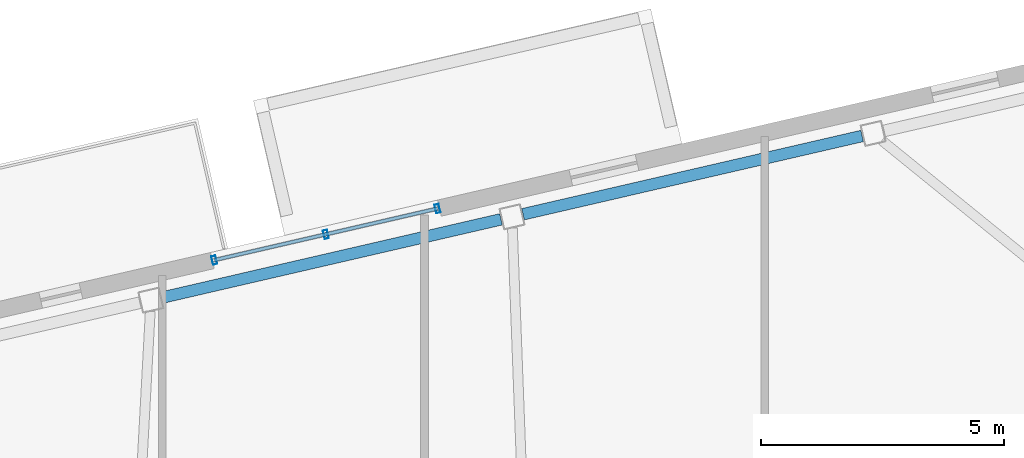
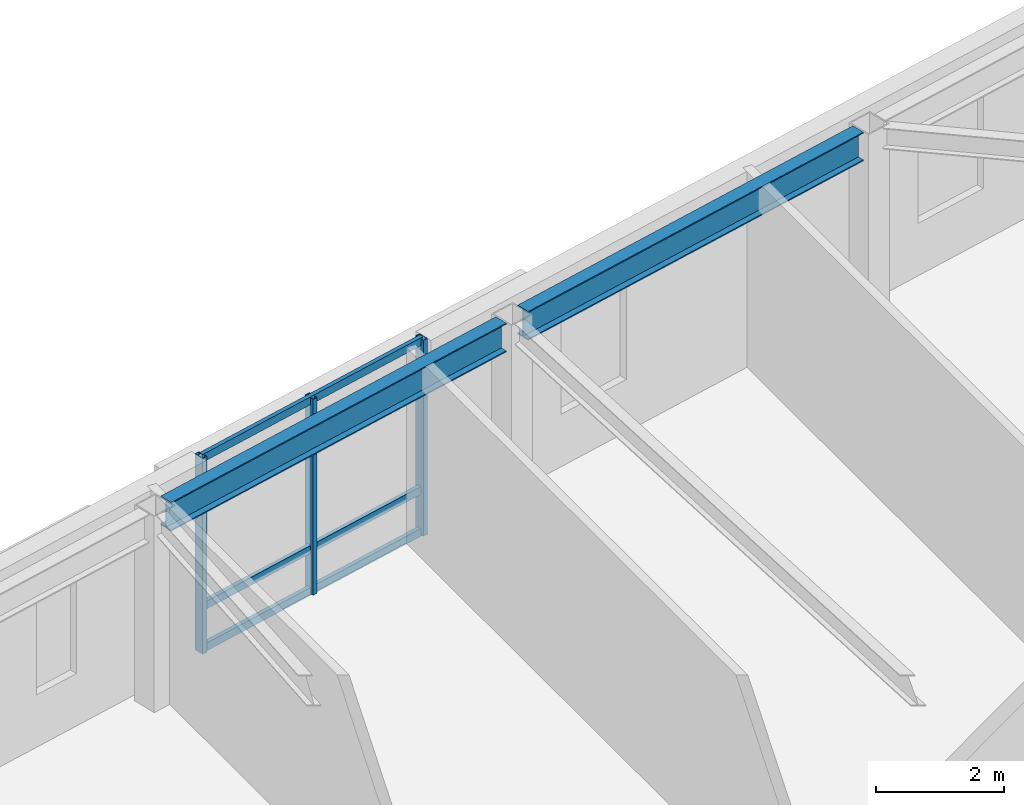
# One storey, part 14 of 24: 6 members, 2 beams, 1 element without a shape of its own.
"""IFC4 building model written with IfcOpenShell, lengths in metres."""

from ifc_helpers import new_model, si_unit, direction, frame, origin, origin_2d, place, context, subcontext, project, spatial, hollow_rectangle, i_section, extrude, material, layer, layer_set, material_profile, profile_set, type_object, element, aggregate, save


model = new_model("IFC4")

# Units and contexts
model_context = context("Model", 3, precision=1e-05, world=origin(), true_north=direction((0.0, 1.0)))
body_context = subcontext(model_context, "Body", "Model", "MODEL_VIEW")
ifc_project = project(units=[si_unit("LENGTHUNIT", "METRE"), si_unit("AREAUNIT", "SQUARE_METRE"), si_unit("VOLUMEUNIT", "CUBIC_METRE"), si_unit("PLANEANGLEUNIT", "RADIAN"), si_unit("MASSUNIT", "GRAM", prefix="KILO")], contexts=[model_context])

# Site, building, storey
site_placement = place(None, origin())
site = spatial("IfcSite", under=ifc_project, at=site_placement, CompositionType="ELEMENT")
building_placement = place(site_placement, origin())
building = spatial("IfcBuilding", under=site, at=building_placement, Name="Tavrogorsk Clinical Tower", CompositionType="ELEMENT")
storey_placement = place(building_placement, frame((0.0, 0.0, 321.0)))
storey = spatial("IfcBuildingStorey", under=building, at=storey_placement, Name="L75", CompositionType="ELEMENT", Elevation=321.0)

# Curtain wall, members
ifc_material_1 = material(Name="Anodised aluminium and triple IGU glazing", Category="aluminium")
ifc_layer = layer(ifc_material_1, 0.179931640625)
ifc_layer_set = layer_set([ifc_layer], Name="Anodised aluminium and triple IGU glazing")
curtain_wall_type = type_object("IfcCurtainWallType", Name="CW2_NorthSlot", PredefinedType="NOTDEFINED", material=ifc_layer_set)
curtain_wall_placement = place(storey_placement, origin())
curtain_wall = element("IfcCurtainWall", 1, at=curtain_wall_placement, inside=storey, type_object=curtain_wall_type, Name="L75 Curtain Wall CW-L75-N-SLOT-2", PredefinedType="NOTDEFINED")
ifc_material_2 = material(Name="Anodised aluminium alloy AW-6060", Category="aluminium")
ifc_material_profile_1 = material_profile(ifc_material_2, hollow_rectangle(XDim=0.090087890625, YDim=0.179931640625, WallThickness=0.00634765625, at=origin_2d()), Name="RHS-180x90x6.3")
ifc_profile_set_1 = profile_set([ifc_material_profile_1], Name="Anodised aluminium alloy AW-6060")
member_type_1 = type_object("IfcMemberType", Name="CwMullion_180x90", PredefinedType="MULLION", material=ifc_profile_set_1)
member_1_placement = place(storey_placement, frame((2.26904296875, 22.400634765625, 0.0), z_axis=(0.0, 0.0, 1.0), x_axis=(-0.974370092441, -0.224950934554, 0.0)))
member_1 = element("IfcMember", 2, at=member_1_placement, type_object=member_type_1, Name="CW-L75-N-SLOT-2 Mullion 1", PredefinedType="MULLION", context=body_context, shape_type="SweptSolid", body=[
    extrude(hollow_rectangle(XDim=0.090087890625, YDim=0.179931640625, WallThickness=0.00634765625, at=origin_2d()), origin(), (0.0, 0.0, 1.0), 3.739990234375),
])
member_2_placement = place(storey_placement, frame((-0.029541015625, 21.869873046875, 0.0), z_axis=(0.0, 0.0, 1.0), x_axis=(-0.974370092441, -0.224950934554, 0.0)))
member_2 = element("IfcMember", 3, at=member_2_placement, type_object=member_type_1, Name="CW-L75-N-SLOT-2 Mullion 2", PredefinedType="MULLION", context=body_context, shape_type="SweptSolid", body=[
    extrude(hollow_rectangle(XDim=0.090087890625, YDim=0.179931640625, WallThickness=0.00634765625, at=origin_2d()), origin(), (0.0, 0.0, 1.0), 3.739990234375),
])
member_3_placement = place(storey_placement, frame((-2.328125, 21.339111328125, 0.0), z_axis=(0.0, 0.0, 1.0), x_axis=(-0.974370092441, -0.224950934554, 0.0)))
member_3 = element("IfcMember", 4, at=member_3_placement, type_object=member_type_1, Name="CW-L75-N-SLOT-2 Mullion 3", PredefinedType="MULLION", context=body_context, shape_type="SweptSolid", body=[
    extrude(hollow_rectangle(XDim=0.090087890625, YDim=0.179931640625, WallThickness=0.00634765625, at=origin_2d()), origin(), (0.0, 0.0, 1.0), 3.739990234375),
])
ifc_material_3 = material(Name="Anodised aluminium alloy AW-6060", Category="aluminium")
ifc_material_profile_2 = material_profile(ifc_material_3, hollow_rectangle(XDim=0.074951171875, YDim=0.14990234375, WallThickness=0.0048828125, at=origin_2d()), Name="RHS-150x75x5")
ifc_profile_set_2 = profile_set([ifc_material_profile_2], Name="Anodised aluminium alloy AW-6060")
member_type_2 = type_object("IfcMemberType", Name="CwTransom_150x75", PredefinedType="USERDEFINED", material=ifc_profile_set_2)
member_4_placement = place(storey_placement, frame((2.26904296875, 22.400634765625, 0.050048828125), z_axis=(-0.974361535497, -0.224987995557, 0.0), x_axis=(0.224987995557, -0.974361535497, 0.0)))
member_4 = element("IfcMember", 5, at=member_4_placement, type_object=member_type_2, Name="CW-L75-N-SLOT-2 Transom 1", ObjectType="TRANSOM", PredefinedType="USERDEFINED", context=body_context, shape_type="SweptSolid", body=[
    extrude(hollow_rectangle(XDim=0.074951171875, YDim=0.14990234375, WallThickness=0.0048828125, at=origin_2d()), origin(), (0.0, 0.0, 1.0), 4.718017578125),
])
member_5_placement = place(storey_placement, frame((2.26904296875, 22.400634765625, 0.85009765625), z_axis=(-0.974361535497, -0.224987995557, 0.0), x_axis=(0.224987995557, -0.974361535497, 0.0)))
member_5 = element("IfcMember", 6, at=member_5_placement, type_object=member_type_2, Name="CW-L75-N-SLOT-2 Transom 2", ObjectType="TRANSOM", PredefinedType="USERDEFINED", context=body_context, shape_type="SweptSolid", body=[
    extrude(hollow_rectangle(XDim=0.074951171875, YDim=0.14990234375, WallThickness=0.0048828125, at=origin_2d()), origin(), (0.0, 0.0, 1.0), 4.718017578125),
])
member_6_placement = place(storey_placement, frame((2.26904296875, 22.400634765625, 3.68994140625), z_axis=(-0.974361535497, -0.224987995557, 0.0), x_axis=(0.224987995557, -0.974361535497, 0.0)))
member_6 = element("IfcMember", 7, at=member_6_placement, type_object=member_type_2, Name="CW-L75-N-SLOT-2 Transom 3", ObjectType="TRANSOM", PredefinedType="USERDEFINED", context=body_context, shape_type="SweptSolid", body=[
    extrude(hollow_rectangle(XDim=0.074951171875, YDim=0.14990234375, WallThickness=0.0048828125, at=origin_2d()), origin(), (0.0, 0.0, 1.0), 4.718017578125),
])
aggregate(curtain_wall, [member_1, member_2, member_3, member_4, member_5, member_6])

# Beams
ifc_material_4 = material(Name="Structural steel S390", Category="steel")
ifc_material_profile_3 = material_profile(ifc_material_4, i_section(OverallWidth=0.239990234375, OverallDepth=0.550048828125, WebThickness=0.013916015625, FlangeThickness=0.02197265625, at=origin_2d()), Name="B-550x240x14x22")
ifc_profile_set_3 = profile_set([ifc_material_profile_3], Name="Structural steel S390")
beam_type = type_object("IfcBeamType", Name="SpandrelBeam_B550", PredefinedType="SPANDREL", material=ifc_profile_set_3)
for number, where, z_axis, x_axis, name in (
    (8, (11.01611328125, 23.896484375, 3.465087890625), (-0.974369378592, -0.224954026551, 0.0), (0.224954026551, -0.974369378592, 0.0), "L75 Perimeter Spandrel N2-N3"),
    (9, (3.577392578125, 22.17919921875, 3.465087890625), (-0.974369378592, -0.224954026551, 0.0), (0.224954026551, -0.974369378592, 0.0), "L75 Perimeter Spandrel N3-N4"),
):
    element("IfcBeam", number, at=place(storey_placement, frame(where, z_axis=z_axis, x_axis=x_axis)), inside=storey, type_object=beam_type, Name=name, PredefinedType="SPANDREL", context=body_context, shape_type="SweptSolid", body=[
        extrude(i_section(OverallWidth=0.239990234375, OverallDepth=0.550048828125, WebThickness=0.013916015625, FlangeThickness=0.02197265625, at=origin_2d()), origin(), (0.0, 0.0, 1.0), 7.16845703125),
    ])

save(model, "model.ifc")
